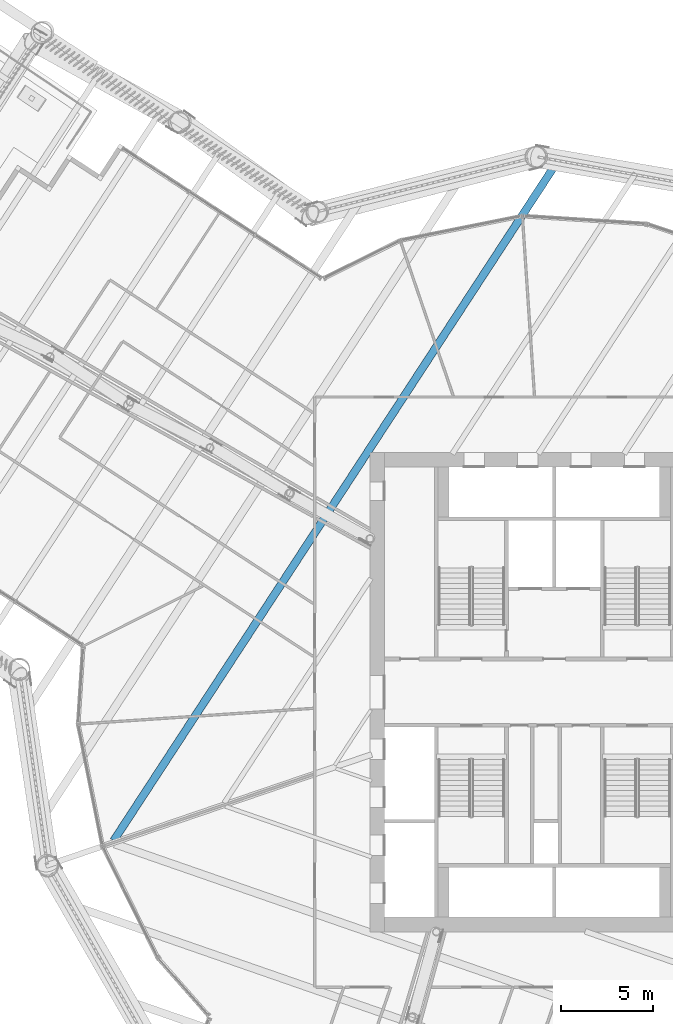
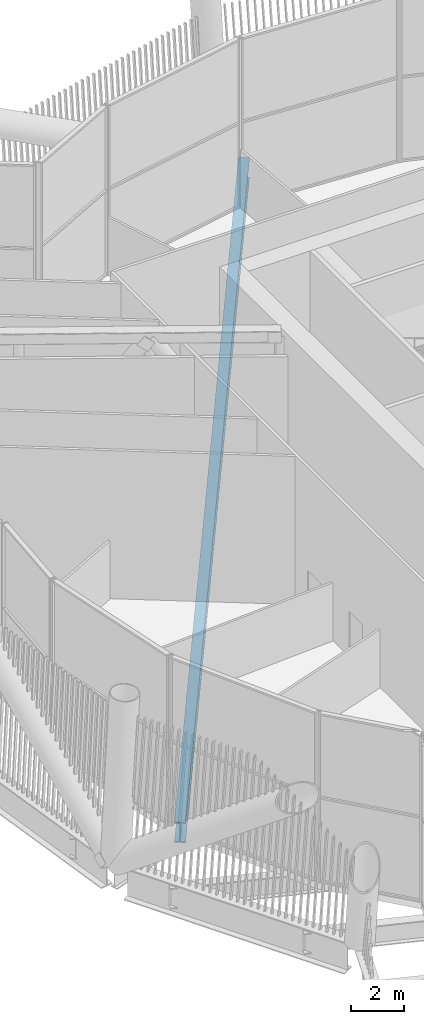
# One storey, part 30 of 63: 1 beam.
"""IFC4 building model written with IfcOpenShell, lengths in metres."""

from ifc_helpers import new_model, si_unit, direction, frame, origin, origin_2d, place, context, subcontext, project, spatial, i_section, extrude, material, material_profile, profile_set, type_object, element, save


model = new_model("IFC4")

# Units and contexts
model_context = context("Model", 3, precision=1e-05, world=origin(), true_north=direction((0.0, 1.0)))
body_context = subcontext(model_context, "Body", "Model", "MODEL_VIEW")
ifc_project = project(units=[si_unit("LENGTHUNIT", "METRE"), si_unit("AREAUNIT", "SQUARE_METRE"), si_unit("VOLUMEUNIT", "CUBIC_METRE"), si_unit("PLANEANGLEUNIT", "RADIAN"), si_unit("MASSUNIT", "GRAM", prefix="KILO")], contexts=[model_context])

# Site, building, storey
site_placement = place(None, origin())
site = spatial("IfcSite", under=ifc_project, at=site_placement, CompositionType="ELEMENT")
building_placement = place(site_placement, origin())
building = spatial("IfcBuilding", under=site, at=building_placement, Name="Tarsis Ring Headquarters", CompositionType="ELEMENT")
storey_placement = place(building_placement, frame((0.0, 0.0, 139.60009765625)))
storey = spatial("IfcBuildingStorey", under=building, at=storey_placement, Name="L32", CompositionType="ELEMENT", Elevation=139.60009765625)

# Beam
ifc_material = material(Name="Structural steel S355", Category="steel")
ifc_material_profile = material_profile(ifc_material, i_section(OverallWidth=0.42431640625, OverallDepth=0.947509765625, WebThickness=0.02392578125, FlangeThickness=0.042724609375, at=origin_2d()), Name="W36x302")
ifc_profile_set = profile_set([ifc_material_profile], Name="Structural steel S355")
beam_type = type_object("IfcBeamType", Name="FB Floor beam W36x302", PredefinedType="JOIST", material=ifc_profile_set)
beam_placement = place(storey_placement, frame((0.244873046875, 28.89501953125, -0.773681640625), z_axis=(-0.546982128553, -0.837144283289, 0.0), x_axis=(0.837144283289, -0.546982128553, 0.0)))
element("IfcBeam", 1, at=beam_placement, inside=storey, type_object=beam_type, Name="Floor beam FB12", PredefinedType="JOIST", context=body_context, shape_type="SweptSolid", body=[
    extrude(i_section(OverallWidth=0.42431640625, OverallDepth=0.947509765625, WebThickness=0.02392578125, FlangeThickness=0.042724609375, at=origin_2d()), origin(), (0.0, 0.0, 1.0), 44.138671875),
])

save(model, "model.ifc")
